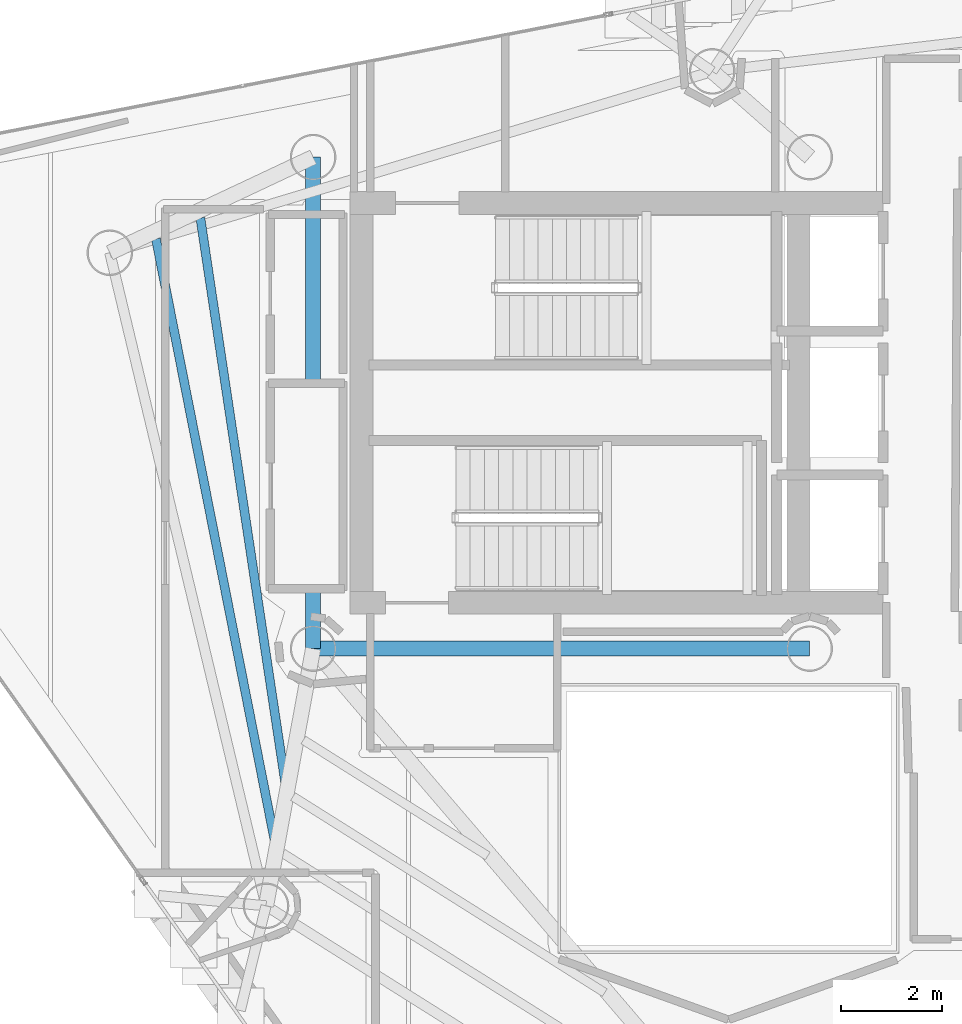
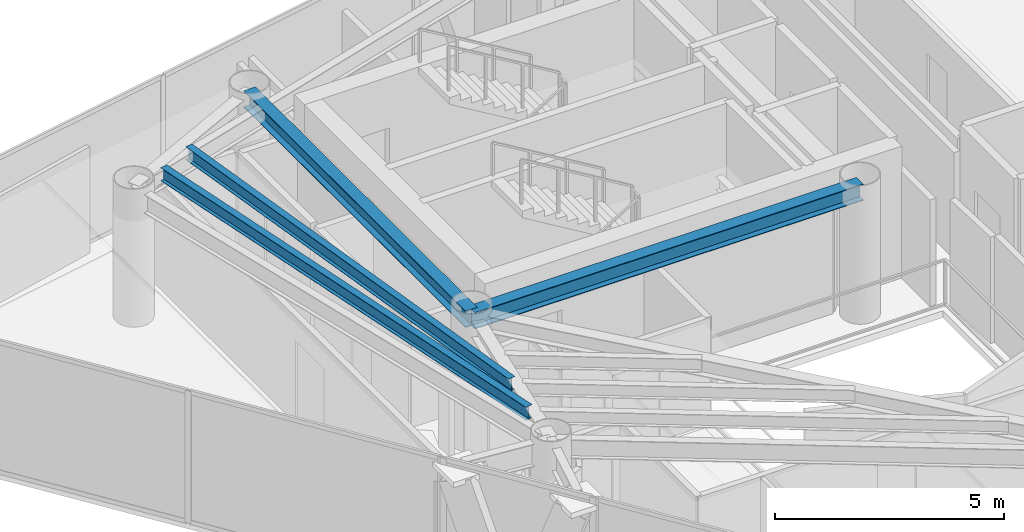
# One storey, part 8 of 22: 4 beams.
"""IFC4 building model written with IfcOpenShell, lengths in metres."""

from ifc_helpers import new_model, si_unit, direction, frame, origin, origin_2d, place, context, subcontext, project, spatial, i_section, extrude, material, material_profile, profile_set, type_object, element, save


model = new_model("IFC4")

# Units and contexts
model_context = context("Model", 3, precision=1e-05, world=origin(), true_north=direction((0.0, 1.0)))
body_context = subcontext(model_context, "Body", "Model", "MODEL_VIEW")
ifc_project = project(units=[si_unit("LENGTHUNIT", "METRE"), si_unit("AREAUNIT", "SQUARE_METRE"), si_unit("VOLUMEUNIT", "CUBIC_METRE"), si_unit("PLANEANGLEUNIT", "RADIAN"), si_unit("MASSUNIT", "GRAM", prefix="KILO")], contexts=[model_context])

# Site, building, storey
site_placement = place(None, origin())
site = spatial("IfcSite", under=ifc_project, at=site_placement, CompositionType="ELEMENT")
building_placement = place(site_placement, origin())
building = spatial("IfcBuilding", under=site, at=building_placement, Name="Qianvela Tower", CompositionType="ELEMENT")
storey_placement = place(building_placement, frame((0.0, 0.0, 299.10009765625)))
storey = spatial("IfcBuildingStorey", under=building, at=storey_placement, Name="L77", CompositionType="ELEMENT", Elevation=299.10009765625)

# Beams
ifc_material_1 = material(Name="Steel Q355B", Category="steel")
ifc_material_profile_1 = material_profile(ifc_material_1, i_section(OverallWidth=0.300048828125, OverallDepth=0.43994140625, WebThickness=0.010986328125, FlangeThickness=0.01806640625, at=origin_2d()), Name="HM440x300x11x18")
ifc_profile_set_1 = profile_set([ifc_material_profile_1], Name="Steel Q355B")
beam_type_1 = type_object("IfcBeamType", Name="BM-HM440-COLL", PredefinedType="BEAM", material=ifc_profile_set_1)
beam_1_placement = place(storey_placement, frame((28.60009765625, 23.85009765625, 3.2978515625), z_axis=(1.0, 0.0, 0.0), x_axis=(0.0, 1.0, 0.0)))
element("IfcBeam", 1, at=beam_1_placement, inside=storey, type_object=beam_type_1, Name="L77 Core Ring Collector Girder CC1", PredefinedType="BEAM", context=body_context, shape_type="SweptSolid", body=[
    extrude(i_section(OverallWidth=0.300048828125, OverallDepth=0.43994140625, WebThickness=0.010986328125, FlangeThickness=0.01806640625, at=origin_2d()), origin(), (0.0, 0.0, 1.0), 9.7998046875),
])
beam_2_placement = place(storey_placement, frame((28.60009765625, 33.550048828125, 3.2978515625), z_axis=(0.0, -1.0, 0.0), x_axis=(1.0, 0.0, 0.0)))
element("IfcBeam", 2, at=beam_2_placement, inside=storey, type_object=beam_type_1, Name="L77 Core Ring Collector Girder CC2", PredefinedType="BEAM", context=body_context, shape_type="SweptSolid", body=[
    extrude(i_section(OverallWidth=0.300048828125, OverallDepth=0.43994140625, WebThickness=0.010986328125, FlangeThickness=0.01806640625, at=origin_2d()), origin(), (0.0, 0.0, 1.0), 9.699951171875),
])
ifc_material_2 = material(Name="Steel Q355B", Category="steel")
ifc_material_profile_2 = material_profile(ifc_material_2, i_section(OverallWidth=0.175048828125, OverallDepth=0.35009765625, WebThickness=0.007080078125, FlangeThickness=0.010986328125, at=origin_2d()), Name="HN350x175x7x11")
ifc_profile_set_2 = profile_set([ifc_material_profile_2], Name="Steel Q355B")
beam_type_2 = type_object("IfcBeamType", Name="BM-HN350-JOIST", PredefinedType="JOIST", material=ifc_profile_set_2)
beam_3_placement = place(storey_placement, frame((26.37451171875, 32.348876953125, 3.343017578125), z_axis=(0.148647266964, -0.988890282096, 0.0), x_axis=(0.988890282096, 0.148647266964, 0.0)))
element("IfcBeam", 3, at=beam_3_placement, inside=storey, type_object=beam_type_2, Name="L77 Secondary Composite Floor Joist 3.2", PredefinedType="JOIST", context=body_context, shape_type="SweptSolid", body=[
    extrude(i_section(OverallWidth=0.175048828125, OverallDepth=0.35009765625, WebThickness=0.007080078125, FlangeThickness=0.010986328125, at=origin_2d()), origin(), (0.0, 0.0, 1.0), 11.32275390625),
])
beam_4_placement = place(storey_placement, frame((25.498046875, 31.934814453125, 3.343017578125), z_axis=(0.193576445355, -0.981085194977, 0.0), x_axis=(0.981085194977, 0.193576445355, 0.0)))
element("IfcBeam", 4, at=beam_4_placement, inside=storey, type_object=beam_type_2, Name="L77 Secondary Composite Floor Joist 3.3", PredefinedType="JOIST", context=body_context, shape_type="SweptSolid", body=[
    extrude(i_section(OverallWidth=0.175048828125, OverallDepth=0.35009765625, WebThickness=0.007080078125, FlangeThickness=0.010986328125, at=origin_2d()), origin(), (0.0, 0.0, 1.0), 12.13037109375),
])

save(model, "model.ifc")
